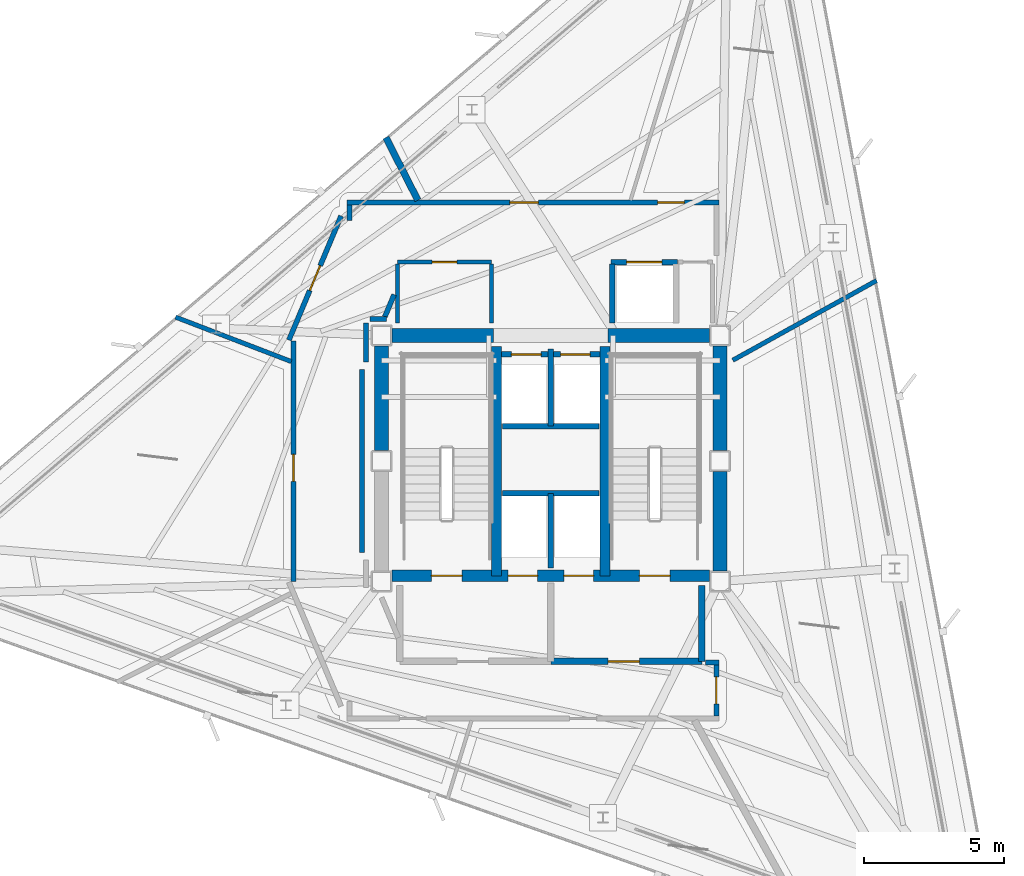
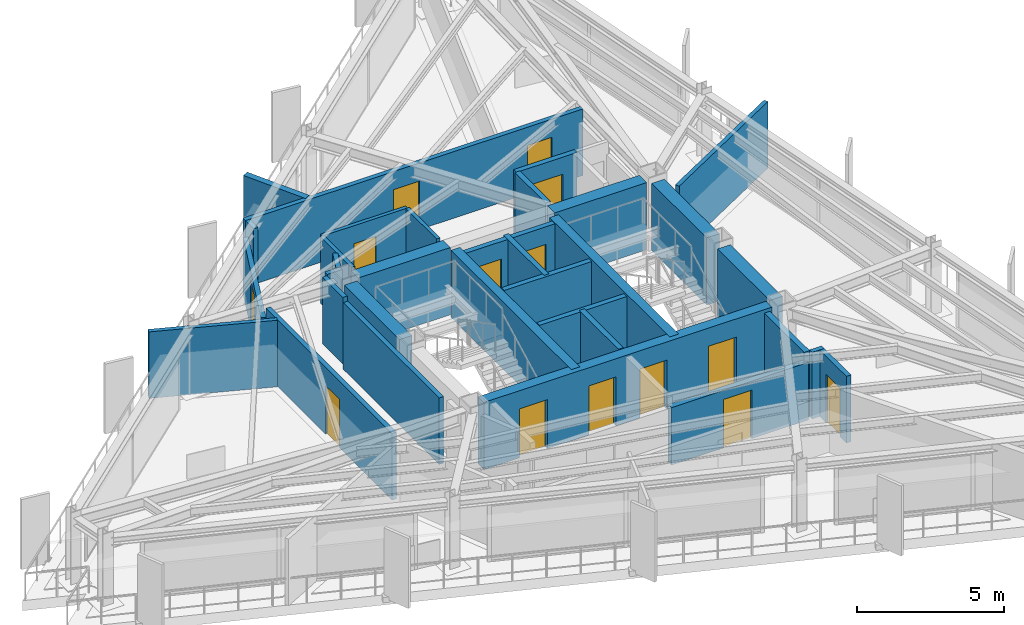
# One storey, part 9 of 14: 33 walls, 14 doors, 14 openings.
"""IFC4 building model written with IfcOpenShell, lengths in metres."""

from ifc_helpers import new_model, si_unit, direction, frame, frame_2d, origin, place, context, subcontext, project, spatial, rectangle, extrude, material, layer, layer_set, type_object, element, fill, save


model = new_model("IFC4")

# Units and contexts
model_context = context("Model", 3, precision=1e-05, world=origin(), true_north=direction((0.0, 1.0)))
body_context = subcontext(model_context, "Body", "Model", "MODEL_VIEW")
ifc_project = project(units=[si_unit("LENGTHUNIT", "METRE"), si_unit("AREAUNIT", "SQUARE_METRE"), si_unit("VOLUMEUNIT", "CUBIC_METRE"), si_unit("PLANEANGLEUNIT", "RADIAN"), si_unit("MASSUNIT", "GRAM", prefix="KILO")], contexts=[model_context])

# Site, building, storey
site_placement = place(None, origin())
site = spatial("IfcSite", under=ifc_project, at=site_placement, CompositionType="ELEMENT")
building_placement = place(site_placement, origin())
building = spatial("IfcBuilding", under=site, at=building_placement, Name="Rocaltana Carrier Exchange", CompositionType="ELEMENT")
storey_placement = place(building_placement, frame((0.0, 0.0, 175.360107421875)))
storey = spatial("IfcBuildingStorey", under=building, at=storey_placement, Name="L55", CompositionType="ELEMENT", Elevation=175.360107421875)

# Walls
ifc_material_1 = material(Name="Double Acoustic Gypsum Partition", Category="gypsum")
ifc_layer_1 = layer(ifc_material_1, 0.159912109375)
ifc_layer_set_1 = layer_set([ifc_layer_1], Name="Double Acoustic Gypsum Partition")
wall_type_1 = type_object("IfcWallType", Name="Acoustic Studio Partition 160 EI60", PredefinedType="PARTITIONING", material=ifc_layer_set_1)
wall_1_placement = place(storey_placement, frame((6.510009765625, 3.608642578125, 0.0), z_axis=(0.0, 0.0, 1.0), x_axis=(0.874634801292, 0.484782388675, 0.0)))
element("IfcWall", 1, at=wall_1_placement, inside=storey, type_object=wall_type_1, Name="L55 Suite Divider Wall D4", PredefinedType="PARTITIONING", context=body_context, shape_type="SweptSolid", body=[
    extrude(rectangle(XDim=5.879150390625, YDim=0.159912109375, at=frame_2d((2.939453125, 0.0))), origin(), (0.0, 0.0, 1.0), 2.77294921875),
])
wall_2_placement = place(storey_placement, frame((-9.280029296875, 3.562255859375, 0.0), z_axis=(0.0, 0.0, 1.0), x_axis=(-0.933582300371, 0.3583630679, 0.0)))
element("IfcWall", 2, at=wall_2_placement, inside=storey, type_object=wall_type_1, Name="L55 Suite Divider Wall D7", PredefinedType="PARTITIONING", context=body_context, shape_type="SweptSolid", body=[
    extrude(rectangle(XDim=4.435791015625, YDim=0.159912109375, at=frame_2d((2.2177734375, 0.0))), origin(), (0.0, 0.0, 1.0), 2.77294921875),
])
ifc_material_2 = material(Name="Concrete C50/60", Category="concrete")
ifc_layer_2 = layer(ifc_material_2, 0.35009765625)
ifc_layer_set_2 = layer_set([ifc_layer_2], Name="Concrete C50/60")
wall_type_2 = type_object("IfcWallType", Name="Core Internal Shear Wall 350", PredefinedType="SHEAR", material=ifc_layer_set_2)
for number, where, z_axis, x_axis, name in (
    (3, (-1.93994140625, -4.10009765625, 0.0), (0.0, 0.0, 1.0), (0.0, 1.0, 0.0), "L55 Core Shear Wall CW-STW"),
    (4, (1.93994140625, -4.10009765625, 0.0), (0.0, 0.0, 1.0), (0.0, 1.0, 0.0), "L55 Core Shear Wall CW-STE"),
):
    element("IfcWall", number, at=place(storey_placement, frame(where, z_axis=z_axis, x_axis=x_axis)), inside=storey, type_object=wall_type_2, Name=name, PredefinedType="SHEAR", context=body_context, shape_type="SweptSolid", body=[
        extrude(rectangle(XDim=8.2001953125, YDim=0.35009765625, at=frame_2d((4.10009765625, 0.0))), origin(), (0.0, 0.0, 1.0), 2.7978515625),
    ])

# Wall, openings, doors
ifc_material_3 = material(Name="Concrete C50/60", Category="concrete")
ifc_layer_3 = layer(ifc_material_3, 0.39990234375)
ifc_layer_set_3 = layer_set([ifc_layer_3], Name="Concrete C50/60")
wall_type_3 = type_object("IfcWallType", Name="Core Internal Shear Wall 400", PredefinedType="SHEAR", material=ifc_layer_set_3)
wall_3_placement = place(storey_placement, frame((-5.675048828125, -4.10009765625, 0.0), z_axis=(0.0, 0.0, 1.0), x_axis=(1.0, 0.0, 0.0)))
wall_3 = element("IfcWall", 5, at=wall_3_placement, inside=storey, type_object=wall_type_3, Name="L55 Core Shear Wall CW-S", PredefinedType="SHEAR", context=body_context, shape_type="SweptSolid", body=[
    extrude(rectangle(XDim=11.35009765625, YDim=0.39990234375, at=frame_2d((5.675048828125, 0.0))), origin(), (0.0, 0.0, 1.0), 2.7978515625),
])
opening_1_placement = place(wall_3_placement, frame((1.405029296875, 0.0, 0.0)))
opening_1 = element("IfcOpeningElement", 6, at=opening_1_placement, cuts=wall_3, Name="Opening D-ST110", PredefinedType="OPENING", context=body_context, shape_type="SweptSolid", body=[
    extrude(rectangle(XDim=1.10009765625, YDim=2.0400390625, at=frame_2d((0.550048828125, 1.02001953125))), frame((0.0, 0.2099609375, 0.0), z_axis=(0.0, -1.0, 0.0), x_axis=(1.0, 0.0, 0.0)), (0.0, 0.0, 1.0), 0.419921875),
])
opening_2_placement = place(wall_3_placement, frame((8.844970703125, 0.0, 0.0)))
opening_2 = element("IfcOpeningElement", 7, at=opening_2_placement, cuts=wall_3, Name="Opening D-ST110", PredefinedType="OPENING", context=body_context, shape_type="SweptSolid", body=[
    extrude(rectangle(XDim=1.10009765625, YDim=2.0400390625, at=frame_2d((0.550048828125, 1.02001953125))), frame((0.0, 0.2099609375, 0.0), z_axis=(0.0, -1.0, 0.0), x_axis=(1.0, 0.0, 0.0)), (0.0, 0.0, 1.0), 0.419921875),
])
opening_3_placement = place(wall_3_placement, frame((4.14501953125, 0.0, 0.0)))
opening_3 = element("IfcOpeningElement", 8, at=opening_3_placement, cuts=wall_3, Name="Opening LD-110", PredefinedType="OPENING", context=body_context, shape_type="SweptSolid", body=[
    extrude(rectangle(XDim=1.06005859375, YDim=2.0400390625, at=frame_2d((0.530029296875, 1.02001953125))), frame((0.0, 0.2099609375, 0.0), z_axis=(0.0, -1.0, 0.0), x_axis=(1.0, 0.0, 0.0)), (0.0, 0.0, 1.0), 0.419921875),
])
opening_4_placement = place(wall_3_placement, frame((6.14501953125, 0.0, 0.0)))
opening_4 = element("IfcOpeningElement", 9, at=opening_4_placement, cuts=wall_3, Name="Opening LD-110", PredefinedType="OPENING", context=body_context, shape_type="SweptSolid", body=[
    extrude(rectangle(XDim=1.06005859375, YDim=2.0400390625, at=frame_2d((0.530029296875, 1.02001953125))), frame((0.0, 0.2099609375, 0.0), z_axis=(0.0, -1.0, 0.0), x_axis=(1.0, 0.0, 0.0)), (0.0, 0.0, 1.0), 0.419921875),
])
ifc_material_4 = material(Name="Hollow Metal Fire Door Assembly", Category="steel")
door_type_1 = type_object("IfcDoorType", Name="Exit Stair Fire Door 1100x2040 FD90S", OperationType="NOTDEFINED", PredefinedType="DOOR", material=ifc_material_4)
door_1_placement = place(opening_1_placement, origin())
door_1 = element("IfcDoor", 10, at=door_1_placement, inside=storey, type_object=door_type_1, Name="L55 Exit Stair ST1 Fire Door", OperationType="SINGLE_SWING_RIGHT", OverallHeight=2.0400390625, OverallWidth=1.10009765625, PredefinedType="DOOR", context=body_context, shape_type="SweptSolid", body=[
    extrude(rectangle(XDim=1.10009765625, YDim=2.0400390625, at=frame_2d((0.550048828125, 1.02001953125))), frame((0.0, 0.02490234375, 0.0), z_axis=(0.0, -1.0, 0.0), x_axis=(1.0, 0.0, 0.0)), (0.0, 0.0, 1.0), 0.050048828125),
])
fill(opening_1, door_1)
door_2_placement = place(opening_2_placement, origin())
door_2 = element("IfcDoor", 11, at=door_2_placement, inside=storey, type_object=door_type_1, Name="L55 Exit Stair ST2 Fire Door", OperationType="SINGLE_SWING_LEFT", OverallHeight=2.0400390625, OverallWidth=1.10009765625, PredefinedType="DOOR", context=body_context, shape_type="SweptSolid", body=[
    extrude(rectangle(XDim=1.10009765625, YDim=2.0400390625, at=frame_2d((0.550048828125, 1.02001953125))), frame((0.0, 0.02490234375, 0.0), z_axis=(0.0, -1.0, 0.0), x_axis=(1.0, 0.0, 0.0)), (0.0, 0.0, 1.0), 0.050048828125),
])
fill(opening_2, door_2)
ifc_material_5 = material(Name="Brushed Stainless Sliding Door Leaf", Category="steel")
door_type_2 = type_object("IfcDoorType", Name="Lift Landing Sliding Door 1060x2040", OperationType="NOTDEFINED", PredefinedType="DOOR", material=ifc_material_5)
door_3_placement = place(opening_3_placement, origin())
door_3 = element("IfcDoor", 12, at=door_3_placement, inside=storey, type_object=door_type_2, Name="L55 Firefighting Lift FFL1 Landing Door", OperationType="SLIDING_TO_LEFT", OverallHeight=2.0400390625, OverallWidth=1.06005859375, PredefinedType="DOOR", context=body_context, shape_type="SweptSolid", body=[
    extrude(rectangle(XDim=1.06005859375, YDim=2.0400390625, at=frame_2d((0.530029296875, 1.02001953125))), frame((0.0, 0.02490234375, 0.0), z_axis=(0.0, -1.0, 0.0), x_axis=(1.0, 0.0, 0.0)), (0.0, 0.0, 1.0), 0.050048828125),
])
fill(opening_3, door_3)
door_4_placement = place(opening_4_placement, origin())
door_4 = element("IfcDoor", 13, at=door_4_placement, inside=storey, type_object=door_type_2, Name="L55 Firefighting Lift FFL2 Landing Door", OperationType="SLIDING_TO_RIGHT", OverallHeight=2.0400390625, OverallWidth=1.06005859375, PredefinedType="DOOR", context=body_context, shape_type="SweptSolid", body=[
    extrude(rectangle(XDim=1.06005859375, YDim=2.0400390625, at=frame_2d((0.530029296875, 1.02001953125))), frame((0.0, 0.02490234375, 0.0), z_axis=(0.0, -1.0, 0.0), x_axis=(1.0, 0.0, 0.0)), (0.0, 0.0, 1.0), 0.050048828125),
])
fill(opening_4, door_4)

# Walls
ifc_material_6 = material(Name="Concrete C50/60", Category="concrete")
ifc_layer_4 = layer(ifc_material_6, 0.5)
ifc_layer_set_4 = layer_set([ifc_layer_4], Name="Concrete C50/60")
wall_type_4 = type_object("IfcWallType", Name="Core Shear Wall 500", PredefinedType="SHEAR", material=ifc_layer_set_4)
for number, where, z_axis, x_axis, name in (
    (14, (-6.050048828125, 0.375, 0.0), (0.0, 0.0, 1.0), (0.0, 1.0, 0.0), "L55 Core Shear Wall CW-WN"),
    (15, (6.050048828125, 0.375, 0.0), (0.0, 0.0, 1.0), (0.0, 1.0, 0.0), "L55 Core Shear Wall CW-EN"),
):
    element("IfcWall", number, at=place(storey_placement, frame(where, z_axis=z_axis, x_axis=x_axis)), inside=storey, type_object=wall_type_4, Name=name, PredefinedType="SHEAR", context=body_context, shape_type="SweptSolid", body=[
        extrude(rectangle(XDim=3.75, YDim=0.5, at=frame_2d((1.875, 0.0))), origin(), (0.0, 0.0, 1.0), 2.7978515625),
    ])
wall_4_placement = place(storey_placement, frame((6.050048828125, -3.925048828125, 0.0), z_axis=(0.0, 0.0, 1.0), x_axis=(0.0, 1.0, 0.0)))
element("IfcWall", 16, at=wall_4_placement, inside=storey, type_object=wall_type_4, Name="L55 Core Shear Wall CW-ES", PredefinedType="SHEAR", context=body_context, shape_type="SweptSolid", body=[
    extrude(rectangle(XDim=3.550048828125, YDim=0.5, at=frame_2d((1.77490234375, 0.0))), origin(), (0.0, 0.0, 1.0), 2.7978515625),
])
for number, where, z_axis, x_axis, name in (
    (17, (-5.675048828125, 4.5, 0.0), (0.0, 0.0, 1.0), (1.0, 0.0, 0.0), "L55 Core Shear Wall CW-N1"),
    (18, (2.050048828125, 4.5, 0.0), (0.0, 0.0, 1.0), (1.0, 0.0, 0.0), "L55 Core Shear Wall CW-N2"),
):
    element("IfcWall", number, at=place(storey_placement, frame(where, z_axis=z_axis, x_axis=x_axis)), inside=storey, type_object=wall_type_4, Name=name, PredefinedType="SHEAR", context=body_context, shape_type="SweptSolid", body=[
        extrude(rectangle(XDim=3.625, YDim=0.5, at=frame_2d((1.8125, 0.0))), origin(), (0.0, 0.0, 1.0), 2.7978515625),
    ])

# Wall, opening, door
ifc_material_7 = material(Name="Gypsum & Steel Stud Partition", Category="steel")
ifc_layer_5 = layer(ifc_material_7, 0.179931640625)
ifc_layer_set_5 = layer_set([ifc_layer_5], Name="Gypsum & Steel Stud Partition")
wall_type_5 = type_object("IfcWallType", Name="Corridor Fire Partition 180 EI60", PredefinedType="PARTITIONING", material=ifc_layer_set_5)
wall_5_placement = place(storey_placement, frame((-9.199951171875, -4.303466796875, 0.0), z_axis=(0.0, 0.0, 1.0), x_axis=(0.0, 1.0, 0.0)))
wall_5 = element("IfcWall", 19, at=wall_5_placement, inside=storey, type_object=wall_type_5, Name="L55 Corridor Partition 2", PredefinedType="PARTITIONING", context=body_context, shape_type="SweptSolid", body=[
    extrude(rectangle(XDim=8.60693359375, YDim=0.179931640625, at=frame_2d((4.303466796875, 0.0))), origin(), (0.0, 0.0, 1.0), 2.77294921875),
])
opening_5_placement = place(wall_5_placement, frame((3.58203125, 0.0, 0.0)))
opening_5 = element("IfcOpeningElement", 20, at=opening_5_placement, cuts=wall_5, Name="Opening D-RM098", PredefinedType="OPENING", context=body_context, shape_type="SweptSolid", body=[
    extrude(rectangle(XDim=0.9599609375, YDim=2.02001953125, at=frame_2d((0.47998046875, 1.010009765625))), frame((0.0, 0.099853515625, 0.0), z_axis=(0.0, -1.0, 0.0), x_axis=(1.0, 0.0, 0.0)), (0.0, 0.0, 1.0), 0.199951171875),
])
ifc_material_8 = material(Name="Engineered Hardwood Timber", Category="wood")
door_type_3 = type_object("IfcDoorType", Name="Workspace Single Door 960x2020", OperationType="NOTDEFINED", PredefinedType="DOOR", material=ifc_material_8)
door_5_placement = place(opening_5_placement, origin())
door_5 = element("IfcDoor", 21, at=door_5_placement, inside=storey, type_object=door_type_3, Name="L55 Client Reception Foyer Entrance Door", OperationType="SINGLE_SWING_RIGHT", OverallHeight=2.02001953125, OverallWidth=0.9599609375, PredefinedType="DOOR", context=body_context, shape_type="SweptSolid", body=[
    extrude(rectangle(XDim=0.9599609375, YDim=2.02001953125, at=frame_2d((0.47998046875, 1.010009765625))), frame((0.0, 0.02490234375, 0.0), z_axis=(0.0, -1.0, 0.0), x_axis=(1.0, 0.0, 0.0)), (0.0, 0.0, 1.0), 0.050048828125),
])
fill(opening_5, door_5)

wall_6_placement = place(storey_placement, frame((-9.36669921875, 4.331787109375, 0.0), z_axis=(0.0, 0.0, 1.0), x_axis=(0.387573945081, 0.921838617706, 0.0)))
wall_6 = element("IfcWall", 22, at=wall_6_placement, inside=storey, type_object=wall_type_5, Name="L55 Corridor Partition 3", PredefinedType="PARTITIONING", context=body_context, shape_type="SweptSolid", body=[
    extrude(rectangle(XDim=4.813232421875, YDim=0.179931640625, at=frame_2d((2.40673828125, 0.0))), origin(), (0.0, 0.0, 1.0), 2.394775390625),
])
opening_6_placement = place(wall_6_placement, frame((1.926513671875, 0.0, 0.0)))
opening_6 = element("IfcOpeningElement", 23, at=opening_6_placement, cuts=wall_6, Name="Opening D-RM098", PredefinedType="OPENING", context=body_context, shape_type="SweptSolid", body=[
    extrude(rectangle(XDim=0.9599609375, YDim=2.02001953125, at=frame_2d((0.47998046875, 1.010009765625))), frame((0.0, 0.099853515625, 0.0), z_axis=(0.0, -1.0, 0.0), x_axis=(1.0, 0.0, 0.0)), (0.0, 0.0, 1.0), 0.199951171875),
])
door_6_placement = place(opening_6_placement, origin())
door_6 = element("IfcDoor", 24, at=door_6_placement, inside=storey, type_object=door_type_3, Name="L55 Client Reception Foyer Entrance Door", OperationType="SINGLE_SWING_RIGHT", OverallHeight=2.02001953125, OverallWidth=0.9599609375, PredefinedType="DOOR", context=body_context, shape_type="SweptSolid", body=[
    extrude(rectangle(XDim=0.9599609375, YDim=2.02001953125, at=frame_2d((0.47998046875, 1.010009765625))), frame((0.0, 0.02490234375, 0.0), z_axis=(0.0, -1.0, 0.0), x_axis=(1.0, 0.0, 0.0)), (0.0, 0.0, 1.0), 0.050048828125),
])
fill(opening_6, door_6)

# Wall
wall_7_placement = place(storey_placement, frame((-7.199951171875, 8.6005859375, 0.0), z_axis=(0.0, 0.0, 1.0), x_axis=(0.0, 1.0, 0.0)))
element("IfcWall", 25, at=wall_7_placement, inside=storey, type_object=wall_type_5, Name="L55 Corridor Partition 4", PredefinedType="PARTITIONING", context=body_context, shape_type="SweptSolid", body=[
    extrude(rectangle(XDim=0.559326171875, YDim=0.179931640625, at=frame_2d((0.27978515625, 0.0))), origin(), (0.0, 0.0, 1.0), 2.77294921875),
])

# Wall, openings, doors
wall_8_placement = place(storey_placement, frame((-7.2900390625, 9.25, 0.0), z_axis=(0.0, 0.0, 1.0), x_axis=(1.0, 0.0, 0.0)))
wall_8 = element("IfcWall", 26, at=wall_8_placement, inside=storey, type_object=wall_type_5, Name="L55 Corridor Partition 5", PredefinedType="PARTITIONING", context=body_context, shape_type="SweptSolid", body=[
    extrude(rectangle(XDim=13.300048828125, YDim=0.179931640625, at=frame_2d((6.64990234375, 0.0))), origin(), (0.0, 0.0, 1.0), 2.77294921875),
])
opening_7_placement = place(wall_8_placement, frame((11.11279296875, 0.0, 0.0)))
opening_7 = element("IfcOpeningElement", 27, at=opening_7_placement, cuts=wall_8, Name="Opening D-RM098", PredefinedType="OPENING", context=body_context, shape_type="SweptSolid", body=[
    extrude(rectangle(XDim=0.9599609375, YDim=2.02001953125, at=frame_2d((0.47998046875, 1.010009765625))), frame((0.0, 0.099853515625, 0.0), z_axis=(0.0, -1.0, 0.0), x_axis=(1.0, 0.0, 0.0)), (0.0, 0.0, 1.0), 0.199951171875),
])
opening_8_placement = place(wall_8_placement, frame((5.8271484375, 0.0, 0.0)))
opening_8 = element("IfcOpeningElement", 28, at=opening_8_placement, cuts=wall_8, Name="Opening D-LB104", PredefinedType="OPENING", context=body_context, shape_type="SweptSolid", body=[
    extrude(rectangle(XDim=1.02001953125, YDim=2.02001953125, at=frame_2d((0.510009765625, 1.010009765625))), frame((0.0, 0.099853515625, 0.0), z_axis=(0.0, -1.0, 0.0), x_axis=(1.0, 0.0, 0.0)), (0.0, 0.0, 1.0), 0.199951171875),
])
ifc_material_9 = material(Name="Powder-Coated Aluminium 6063-T6", Category="aluminium")
door_type_4 = type_object("IfcDoorType", Name="Laboratory Acoustic Door 1020x2020", OperationType="NOTDEFINED", PredefinedType="DOOR", material=ifc_material_9)
door_7_placement = place(opening_8_placement, origin())
door_7 = element("IfcDoor", 29, at=door_7_placement, inside=storey, type_object=door_type_4, Name="L55 Optical Switching Laboratory Entrance Door", OperationType="SINGLE_SWING_LEFT", OverallHeight=2.02001953125, OverallWidth=1.02001953125, PredefinedType="DOOR", context=body_context, shape_type="SweptSolid", body=[
    extrude(rectangle(XDim=1.02001953125, YDim=2.02001953125, at=frame_2d((0.510009765625, 1.010009765625))), frame((0.0, 0.02490234375, 0.0), z_axis=(0.0, -1.0, 0.0), x_axis=(1.0, 0.0, 0.0)), (0.0, 0.0, 1.0), 0.050048828125),
])
fill(opening_8, door_7)
door_8_placement = place(opening_7_placement, origin())
door_8 = element("IfcDoor", 30, at=door_8_placement, inside=storey, type_object=door_type_3, Name="L55 Peering Conference Room Entrance Door", OperationType="SINGLE_SWING_RIGHT", OverallHeight=2.02001953125, OverallWidth=0.9599609375, PredefinedType="DOOR", context=body_context, shape_type="SweptSolid", body=[
    extrude(rectangle(XDim=0.9599609375, YDim=2.02001953125, at=frame_2d((0.47998046875, 1.010009765625))), frame((0.0, 0.02490234375, 0.0), z_axis=(0.0, -1.0, 0.0), x_axis=(1.0, 0.0, 0.0)), (0.0, 0.0, 1.0), 0.050048828125),
])
fill(opening_7, door_8)

# Walls
wall_9_placement = place(storey_placement, frame((-5.602294921875, 5.9580078125, 0.0), z_axis=(0.0, 0.0, 1.0), x_axis=(-0.387588639363, -0.921832439566, 0.0)))
element("IfcWall", 31, at=wall_9_placement, inside=storey, type_object=wall_type_5, Name="L55 Corridor Partition 8", PredefinedType="PARTITIONING", context=body_context, shape_type="SweptSolid", body=[
    extrude(rectangle(XDim=0.8623046875, YDim=0.179931640625, at=frame_2d((0.43115234375, 0.0))), origin(), (0.0, 0.0, 1.0), 2.77294921875),
])
wall_10_placement = place(storey_placement, frame((-5.88134765625, 5.080078125, 0.0), z_axis=(0.0, 0.0, 1.0), x_axis=(-1.0, 0.0, 0.0)))
element("IfcWall", 32, at=wall_10_placement, inside=storey, type_object=wall_type_5, Name="L55 Corridor Partition 9", PredefinedType="PARTITIONING", context=body_context, shape_type="SweptSolid", body=[
    extrude(rectangle(XDim=0.588623046875, YDim=0.179931640625, at=frame_2d((0.29443359375, 0.0))), origin(), (0.0, 0.0, 1.0), 2.77294921875),
])
wall_11_placement = place(storey_placement, frame((-6.610107421875, 4.93994140625, 0.0), z_axis=(0.0, 0.0, 1.0), x_axis=(0.0, -1.0, 0.0)))
element("IfcWall", 33, at=wall_11_placement, inside=storey, type_object=wall_type_5, Name="L55 Corridor Partition 10", PredefinedType="PARTITIONING", context=body_context, shape_type="SweptSolid", body=[
    extrude(rectangle(XDim=1.398681640625, YDim=0.179931640625, at=frame_2d((0.69921875, 0.0))), origin(), (0.0, 0.0, 1.0), 2.77294921875),
])
wall_12_placement = place(storey_placement, frame((-6.75, 3.2734375, 0.0), z_axis=(0.0, 0.0, 1.0), x_axis=(0.0, -1.0, 0.0)))
element("IfcWall", 34, at=wall_12_placement, inside=storey, type_object=wall_type_5, Name="L55 Corridor Partition 11", PredefinedType="PARTITIONING", context=body_context, shape_type="SweptSolid", body=[
    extrude(rectangle(XDim=6.546875, YDim=0.179931640625, at=frame_2d((3.2734375, 0.0))), origin(), (0.0, 0.0, 1.0), 2.77294921875),
])
wall_13_placement = place(storey_placement, frame((5.530029296875, -7.199951171875, 0.0), z_axis=(0.0, 0.0, 1.0), x_axis=(1.0, 0.0, 0.0)))
element("IfcWall", 35, at=wall_13_placement, inside=storey, type_object=wall_type_5, Name="L55 Corridor Partition 14", PredefinedType="PARTITIONING", context=body_context, shape_type="SweptSolid", body=[
    extrude(rectangle(XDim=0.47998046875, YDim=0.179931640625, at=frame_2d((0.239990234375, 0.0))), origin(), (0.0, 0.0, 1.0), 2.77294921875),
])

# Wall, opening, door
wall_14_placement = place(storey_placement, frame((5.919921875, -7.2900390625, 0.0), z_axis=(0.0, 0.0, 1.0), x_axis=(0.0, -1.0, 0.0)))
wall_14 = element("IfcWall", 36, at=wall_14_placement, inside=storey, type_object=wall_type_5, Name="L55 Corridor Partition 15", PredefinedType="PARTITIONING", context=body_context, shape_type="SweptSolid", body=[
    extrude(rectangle(XDim=1.820068359375, YDim=0.179931640625, at=frame_2d((0.91015625, 0.0))), origin(), (0.0, 0.0, 1.0), 2.77294921875),
])
opening_9_placement = place(wall_14_placement, frame((0.429931640625, 0.0, 0.0)))
opening_9 = element("IfcOpeningElement", 37, at=opening_9_placement, cuts=wall_14, Name="Opening D-RM098", PredefinedType="OPENING", context=body_context, shape_type="SweptSolid", body=[
    extrude(rectangle(XDim=0.9599609375, YDim=2.02001953125, at=frame_2d((0.47998046875, 1.010009765625))), frame((0.0, 0.099853515625, 0.0), z_axis=(0.0, -1.0, 0.0), x_axis=(1.0, 0.0, 0.0)), (0.0, 0.0, 1.0), 0.199951171875),
])
door_9_placement = place(opening_9_placement, origin())
door_9 = element("IfcDoor", 38, at=door_9_placement, inside=storey, type_object=door_type_3, Name="L55 Cloud Architecture Office Entrance Door", OperationType="SINGLE_SWING_LEFT", OverallHeight=2.02001953125, OverallWidth=0.9599609375, PredefinedType="DOOR", context=body_context, shape_type="SweptSolid", body=[
    extrude(rectangle(XDim=0.9599609375, YDim=2.02001953125, at=frame_2d((0.47998046875, 1.010009765625))), frame((0.0, 0.02490234375, 0.0), z_axis=(0.0, -1.0, 0.0), x_axis=(1.0, 0.0, 0.0)), (0.0, 0.0, 1.0), 0.050048828125),
])
fill(opening_9, door_9)

# Wall
ifc_material_10 = material(Name="Autoclaved Aerated Concrete C30/37", Category="concrete")
ifc_layer_6 = layer(ifc_material_10, 0.219970703125)
ifc_layer_set_6 = layer_set([ifc_layer_6], Name="Autoclaved Aerated Concrete C30/37")
wall_type_6 = type_object("IfcWallType", Name="Firefighting Lobby Wall 220 EI120", PredefinedType="PARTITIONING", material=ifc_layer_set_6)
wall_15_placement = place(storey_placement, frame((5.39990234375, -7.159912109375, 0.0), z_axis=(0.0, 0.0, 1.0), x_axis=(0.0, 1.0, 0.0)))
element("IfcWall", 39, at=wall_15_placement, inside=storey, type_object=wall_type_6, Name="L55 FFL Lobby 2 East Wall", PredefinedType="PARTITIONING", context=body_context, shape_type="SweptSolid", body=[
    extrude(rectangle(XDim=2.7099609375, YDim=0.219970703125, at=frame_2d((1.35498046875, 0.0))), origin(), (0.0, 0.0, 1.0), 2.77294921875),
])

# Wall, opening, door
wall_16_placement = place(storey_placement, frame((0.0, -7.159912109375, 0.0), z_axis=(0.0, 0.0, 1.0), x_axis=(1.0, 0.0, 0.0)))
wall_16 = element("IfcWall", 40, at=wall_16_placement, inside=storey, type_object=wall_type_6, Name="L55 FFL Lobby 2 South Wall", PredefinedType="PARTITIONING", context=body_context, shape_type="SweptSolid", body=[
    extrude(rectangle(XDim=5.39990234375, YDim=0.219970703125, at=frame_2d((2.699951171875, 0.0))), origin(), (0.0, 0.0, 1.0), 2.394775390625),
])
opening_10_placement = place(wall_16_placement, frame((2.050048828125, 0.0, 0.0)))
opening_10 = element("IfcOpeningElement", 41, at=opening_10_placement, cuts=wall_16, Name="Opening D-FF115", PredefinedType="OPENING", context=body_context, shape_type="SweptSolid", body=[
    extrude(rectangle(XDim=1.1201171875, YDim=2.02001953125, at=frame_2d((0.56005859375, 1.010009765625))), frame((0.0, 0.119873046875, 0.0), z_axis=(0.0, -1.0, 0.0), x_axis=(1.0, 0.0, 0.0)), (0.0, 0.0, 1.0), 0.239990234375),
])
ifc_material_11 = material(Name="Hollow Metal Fire Door Assembly", Category="steel")
door_type_5 = type_object("IfcDoorType", Name="Firefighting Lobby Door 1120x2020 FD60S", OperationType="NOTDEFINED", PredefinedType="DOOR", material=ifc_material_11)
door_10_placement = place(opening_10_placement, origin())
door_10 = element("IfcDoor", 42, at=door_10_placement, inside=storey, type_object=door_type_5, Name="L55 Firefighting Lift Lobby 2 Door", OperationType="SINGLE_SWING_LEFT", OverallHeight=2.02001953125, OverallWidth=1.1201171875, PredefinedType="DOOR", context=body_context, shape_type="SweptSolid", body=[
    extrude(rectangle(XDim=1.1201171875, YDim=2.02001953125, at=frame_2d((0.56005859375, 1.010009765625))), frame((0.0, 0.02490234375, 0.0), z_axis=(0.0, -1.0, 0.0), x_axis=(1.0, 0.0, 0.0)), (0.0, 0.0, 1.0), 0.050048828125),
])
fill(opening_10, door_10)

# Walls
ifc_material_12 = material(Name="Acoustic Calcium Silicate Partition", Category="gypsum")
ifc_layer_7 = layer(ifc_material_12, 0.239990234375)
ifc_layer_set_7 = layer_set([ifc_layer_7], Name="Acoustic Calcium Silicate Partition")
wall_type_7 = type_object("IfcWallType", Name="Heavy Lab Partition 240 EI90", PredefinedType="PARTITIONING", material=ifc_layer_set_7)
wall_17_placement = place(storey_placement, frame((-4.75390625, 9.330078125, 0.0), z_axis=(0.0, 0.0, 1.0), x_axis=(-0.453977993214, 0.891012896471, 0.0)))
element("IfcWall", 43, at=wall_17_placement, inside=storey, type_object=wall_type_7, Name="L55 Suite Divider Wall D6", PredefinedType="PARTITIONING", context=body_context, shape_type="SweptSolid", body=[
    extrude(rectangle(XDim=2.521728515625, YDim=0.239990234375, at=frame_2d((1.2607421875, 0.0))), origin(), (0.0, 0.0, 1.0), 2.77294921875),
])
ifc_material_13 = material(Name="Reinforced Concrete Block C35/45", Category="concrete")
ifc_layer_8 = layer(ifc_material_13, 0.199951171875)
ifc_layer_set_8 = layer_set([ifc_layer_8], Name="Reinforced Concrete Block C35/45")
wall_type_8 = type_object("IfcWallType", Name="Lift Hoistway Enclosure Wall 200 EI120", PredefinedType="PARTITIONING", material=ifc_layer_set_8)
wall_18_placement = place(storey_placement, frame((0.0, -3.820068359375, 0.0), z_axis=(0.0, 0.0, 1.0), x_axis=(0.0, 1.0, 0.0)))
element("IfcWall", 44, at=wall_18_placement, inside=storey, type_object=wall_type_8, Name="L55 FFL Shaft Divider", PredefinedType="PARTITIONING", context=body_context, shape_type="SweptSolid", body=[
    extrude(rectangle(XDim=2.670166015625, YDim=0.199951171875, at=frame_2d((1.3349609375, 0.0))), origin(), (0.0, 0.0, 1.0), 2.77294921875),
])
wall_19_placement = place(storey_placement, frame((-1.719970703125, -1.14990234375, 0.0), z_axis=(0.0, 0.0, 1.0), x_axis=(1.0, 0.0, 0.0)))
element("IfcWall", 45, at=wall_19_placement, inside=storey, type_object=wall_type_8, Name="L55 FFL Shaft Back Wall", PredefinedType="PARTITIONING", context=body_context, shape_type="SweptSolid", body=[
    extrude(rectangle(XDim=3.43994140625, YDim=0.199951171875, at=frame_2d((1.719970703125, 0.0))), origin(), (0.0, 0.0, 1.0), 2.77294921875),
])
wall_20_placement = place(storey_placement, frame((0.0, 1.25, 0.0), z_axis=(0.0, 0.0, 1.0), x_axis=(0.0, 1.0, 0.0)))
element("IfcWall", 46, at=wall_20_placement, inside=storey, type_object=wall_type_8, Name="L55 High-Rise Shaft Divider", PredefinedType="PARTITIONING", context=body_context, shape_type="SweptSolid", body=[
    extrude(rectangle(XDim=2.77001953125, YDim=0.199951171875, at=frame_2d((1.385009765625, 0.0))), origin(), (0.0, 0.0, 1.0), 2.77294921875),
])
wall_21_placement = place(storey_placement, frame((-1.719970703125, 1.25, 0.0), z_axis=(0.0, 0.0, 1.0), x_axis=(1.0, 0.0, 0.0)))
element("IfcWall", 47, at=wall_21_placement, inside=storey, type_object=wall_type_8, Name="L55 High-Rise Shaft Back Wall", PredefinedType="PARTITIONING", context=body_context, shape_type="SweptSolid", body=[
    extrude(rectangle(XDim=3.43994140625, YDim=0.199951171875, at=frame_2d((1.719970703125, 0.0))), origin(), (0.0, 0.0, 1.0), 2.77294921875),
])

# Wall, openings, doors
wall_22_placement = place(storey_placement, frame((-1.760009765625, 3.820068359375, 0.0), z_axis=(0.0, 0.0, 1.0), x_axis=(1.0, 0.0, 0.0)))
wall_22 = element("IfcWall", 48, at=wall_22_placement, inside=storey, type_object=wall_type_8, Name="L55 High-Rise Lift Front Wall", PredefinedType="PARTITIONING", context=body_context, shape_type="SweptSolid", body=[
    extrude(rectangle(XDim=3.52001953125, YDim=0.199951171875, at=frame_2d((1.760009765625, 0.0))), origin(), (0.0, 0.0, 1.0), 2.77294921875),
])
opening_11_placement = place(wall_22_placement, frame((0.35009765625, 0.0, 0.0)))
opening_11 = element("IfcOpeningElement", 49, at=opening_11_placement, cuts=wall_22, Name="Opening LD-110", PredefinedType="OPENING", context=body_context, shape_type="SweptSolid", body=[
    extrude(rectangle(XDim=1.06005859375, YDim=2.0400390625, at=frame_2d((0.530029296875, 1.02001953125))), frame((0.0, 0.10986328125, 0.0), z_axis=(0.0, -1.0, 0.0), x_axis=(1.0, 0.0, 0.0)), (0.0, 0.0, 1.0), 0.219970703125),
])
opening_12_placement = place(wall_22_placement, frame((2.110107421875, 0.0, 0.0)))
opening_12 = element("IfcOpeningElement", 50, at=opening_12_placement, cuts=wall_22, Name="Opening LD-110", PredefinedType="OPENING", context=body_context, shape_type="SweptSolid", body=[
    extrude(rectangle(XDim=1.06005859375, YDim=2.0400390625, at=frame_2d((0.530029296875, 1.02001953125))), frame((0.0, 0.10986328125, 0.0), z_axis=(0.0, -1.0, 0.0), x_axis=(1.0, 0.0, 0.0)), (0.0, 0.0, 1.0), 0.219970703125),
])
door_11_placement = place(opening_11_placement, origin())
door_11 = element("IfcDoor", 51, at=door_11_placement, inside=storey, type_object=door_type_2, Name="L55 High-Rise Lift PLH1 Landing Door", OperationType="SLIDING_TO_LEFT", OverallHeight=2.0400390625, OverallWidth=1.06005859375, PredefinedType="DOOR", context=body_context, shape_type="SweptSolid", body=[
    extrude(rectangle(XDim=1.06005859375, YDim=2.0400390625, at=frame_2d((0.530029296875, 1.02001953125))), frame((0.0, 0.02490234375, 0.0), z_axis=(0.0, -1.0, 0.0), x_axis=(1.0, 0.0, 0.0)), (0.0, 0.0, 1.0), 0.050048828125),
])
fill(opening_11, door_11)
door_12_placement = place(opening_12_placement, origin())
door_12 = element("IfcDoor", 52, at=door_12_placement, inside=storey, type_object=door_type_2, Name="L55 High-Rise Lift PLH2 Landing Door", OperationType="SLIDING_TO_RIGHT", OverallHeight=2.0400390625, OverallWidth=1.06005859375, PredefinedType="DOOR", context=body_context, shape_type="SweptSolid", body=[
    extrude(rectangle(XDim=1.06005859375, YDim=2.0400390625, at=frame_2d((0.530029296875, 1.02001953125))), frame((0.0, 0.02490234375, 0.0), z_axis=(0.0, -1.0, 0.0), x_axis=(1.0, 0.0, 0.0)), (0.0, 0.0, 1.0), 0.050048828125),
])
fill(opening_12, door_12)

# Wall
wall_23_placement = place(storey_placement, frame((2.199951171875, 4.949951171875, 0.0), z_axis=(0.0, 0.0, 1.0), x_axis=(0.0, 1.0, 0.0)))
element("IfcWall", 53, at=wall_23_placement, inside=storey, type_object=wall_type_8, Name="L55 Goods Lift West Wall", PredefinedType="PARTITIONING", context=body_context, shape_type="SweptSolid", body=[
    extrude(rectangle(XDim=2.10009765625, YDim=0.199951171875, at=frame_2d((1.050048828125, 0.0))), origin(), (0.0, 0.0, 1.0), 2.77294921875),
])

# Wall, opening, door
wall_24_placement = place(storey_placement, frame((2.14990234375, 7.1201171875, 0.0), z_axis=(0.0, 0.0, 1.0), x_axis=(1.0, 0.0, 0.0)))
wall_24 = element("IfcWall", 54, at=wall_24_placement, inside=storey, type_object=wall_type_8, Name="L55 Goods Lift Front Wall", PredefinedType="PARTITIONING", context=body_context, shape_type="SweptSolid", body=[
    extrude(rectangle(XDim=2.380126953125, YDim=0.199951171875, at=frame_2d((1.18994140625, 0.0))), origin(), (0.0, 0.0, 1.0), 2.77294921875),
])
opening_13_placement = place(wall_24_placement, frame((0.56005859375, 0.0, 0.0)))
opening_13 = element("IfcOpeningElement", 55, at=opening_13_placement, cuts=wall_24, Name="Opening LD-130", PredefinedType="OPENING", context=body_context, shape_type="SweptSolid", body=[
    extrude(rectangle(XDim=1.260009765625, YDim=2.06005859375, at=frame_2d((0.6298828125, 1.030029296875))), frame((0.0, 0.10986328125, 0.0), z_axis=(0.0, -1.0, 0.0), x_axis=(1.0, 0.0, 0.0)), (0.0, 0.0, 1.0), 0.219970703125),
])
ifc_material_14 = material(Name="Brushed Stainless Sliding Door Leaf", Category="steel")
door_type_6 = type_object("IfcDoorType", Name="Goods Lift Landing Sliding Door 1260x2060", OperationType="NOTDEFINED", PredefinedType="DOOR", material=ifc_material_14)
door_13_placement = place(opening_13_placement, origin())
door_13 = element("IfcDoor", 56, at=door_13_placement, inside=storey, type_object=door_type_6, Name="L55 Goods Lift GL-1 Landing Door", OperationType="SLIDING_TO_LEFT", OverallHeight=2.06005859375, OverallWidth=1.260009765625, PredefinedType="DOOR", context=body_context, shape_type="SweptSolid", body=[
    extrude(rectangle(XDim=1.260009765625, YDim=2.06005859375, at=frame_2d((0.6298828125, 1.030029296875))), frame((0.0, 0.02490234375, 0.0), z_axis=(0.0, -1.0, 0.0), x_axis=(1.0, 0.0, 0.0)), (0.0, 0.0, 1.0), 0.050048828125),
])
fill(opening_13, door_13)

# Walls
ifc_material_15 = material(Name="Moisture-Resistant Masonry C30/37", Category="masonry")
ifc_layer_9 = layer(ifc_material_15, 0.139892578125)
ifc_layer_set_9 = layer_set([ifc_layer_9], Name="Moisture-Resistant Masonry C30/37")
wall_type_9 = type_object("IfcWallType", Name="Wet-Area Sanitary Partition 140", PredefinedType="PARTITIONING", material=ifc_layer_set_9)
for number, where, z_axis, x_axis, name in (
    (57, (-5.47998046875, 4.949951171875, 0.0), (0.0, 0.0, 1.0), (0.0, 1.0, 0.0), "L55 Sanitary West Wall"),
    (58, (-2.1201171875, 4.949951171875, 0.0), (0.0, 0.0, 1.0), (0.0, 1.0, 0.0), "L55 Sanitary East Wall"),
):
    element("IfcWall", number, at=place(storey_placement, frame(where, z_axis=z_axis, x_axis=x_axis)), inside=storey, type_object=wall_type_9, Name=name, PredefinedType="PARTITIONING", context=body_context, shape_type="SweptSolid", body=[
        extrude(rectangle(XDim=2.10009765625, YDim=0.139892578125, at=frame_2d((1.050048828125, 0.0))), origin(), (0.0, 0.0, 1.0), 2.77294921875),
    ])

# Wall, opening, door
wall_25_placement = place(storey_placement, frame((-5.47998046875, 7.1201171875, 0.0), z_axis=(0.0, 0.0, 1.0), x_axis=(1.0, 0.0, 0.0)))
wall_25 = element("IfcWall", 59, at=wall_25_placement, inside=storey, type_object=wall_type_9, Name="L55 Sanitary North Wall", PredefinedType="PARTITIONING", context=body_context, shape_type="SweptSolid", body=[
    extrude(rectangle(XDim=3.35986328125, YDim=0.139892578125, at=frame_2d((1.679931640625, 0.0))), origin(), (0.0, 0.0, 1.0), 2.77294921875),
])
opening_14_placement = place(wall_25_placement, frame((1.239990234375, 0.0, 0.0)))
opening_14 = element("IfcOpeningElement", 60, at=opening_14_placement, cuts=wall_25, Name="Opening D-WC090", PredefinedType="OPENING", context=body_context, shape_type="SweptSolid", body=[
    extrude(rectangle(XDim=0.8798828125, YDim=2.02001953125, at=frame_2d((0.43994140625, 1.010009765625))), frame((0.0, 0.079833984375, 0.0), z_axis=(0.0, -1.0, 0.0), x_axis=(1.0, 0.0, 0.0)), (0.0, 0.0, 1.0), 0.159912109375),
])
ifc_material_16 = material(Name="High-Pressure Laminate Timber", Category="wood")
door_type_7 = type_object("IfcDoorType", Name="Restroom & Accessible WC Door 880x2020", OperationType="NOTDEFINED", PredefinedType="DOOR", material=ifc_material_16)
door_14_placement = place(opening_14_placement, origin())
door_14 = element("IfcDoor", 61, at=door_14_placement, inside=storey, type_object=door_type_7, Name="L55 Accessible Toilet Door", OperationType="SINGLE_SWING_RIGHT", OverallHeight=2.02001953125, OverallWidth=0.8798828125, PredefinedType="DOOR", context=body_context, shape_type="SweptSolid", body=[
    extrude(rectangle(XDim=0.8798828125, YDim=2.02001953125, at=frame_2d((0.43994140625, 1.010009765625))), frame((0.0, 0.02490234375, 0.0), z_axis=(0.0, -1.0, 0.0), x_axis=(1.0, 0.0, 0.0)), (0.0, 0.0, 1.0), 0.050048828125),
])
fill(opening_14, door_14)

save(model, "model.ifc")
